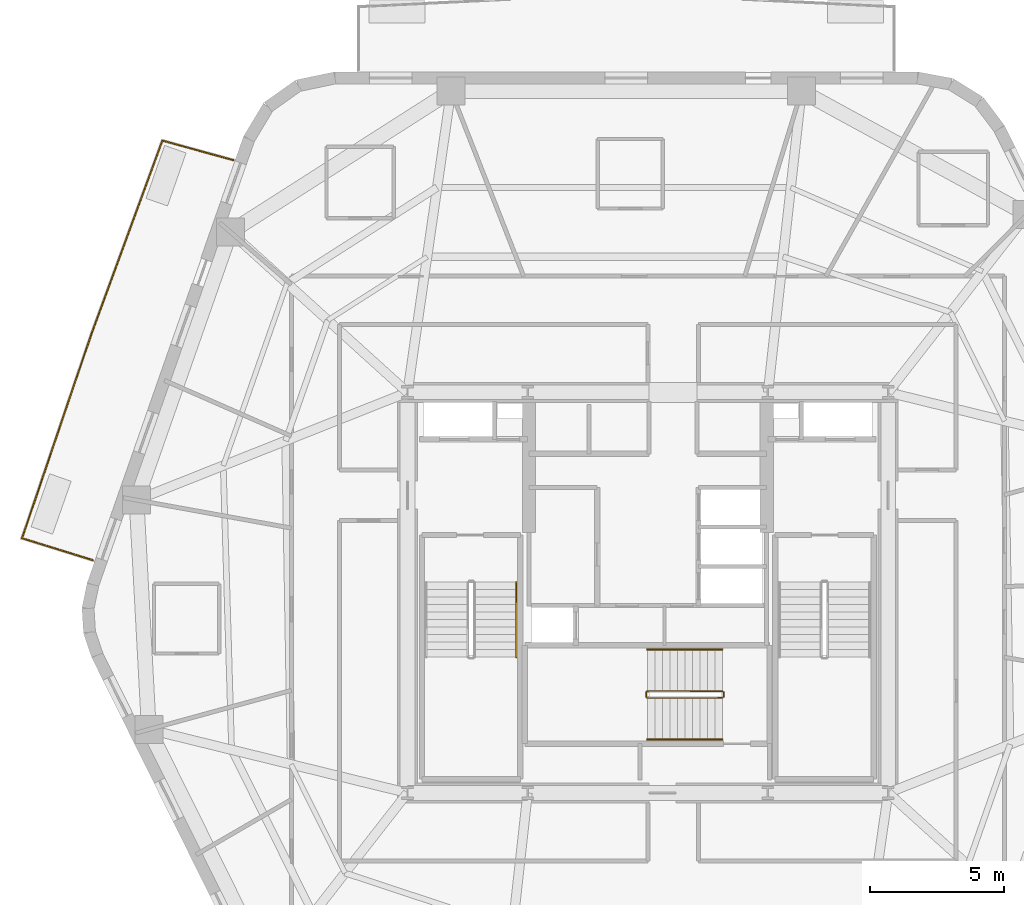
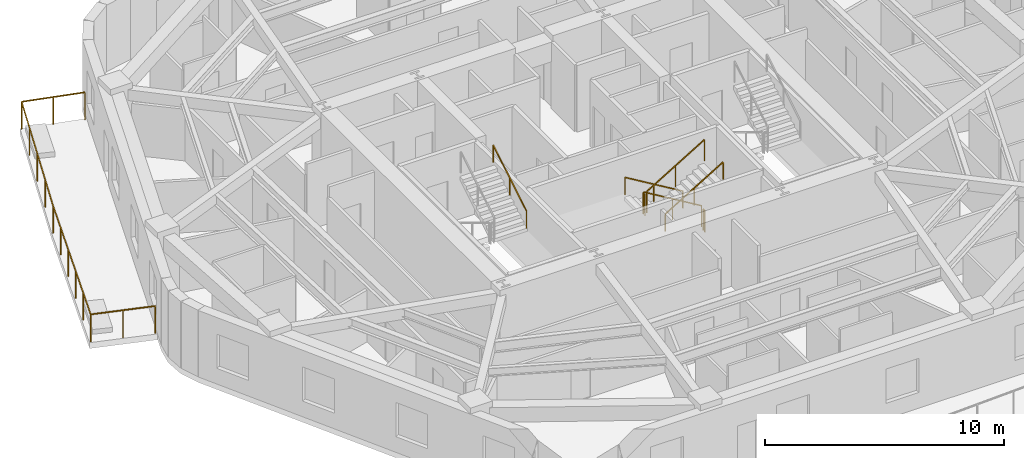
# One storey, part 9 of 11: 8 railings.
"""IFC4 building model written with IfcOpenShell, lengths in metres."""

import ifcopenshell
import ifcopenshell.guid

model = None  # the IFC model being written
_history = None  # IfcOwnerHistory: only IFC2X3 demands one
_inside = {}  # id of a spatial element -> (the spatial element, [elements in it])
_under = {}  # id of a project, library or spatial element -> (it, [spatial elements below it])
_declared = {}  # id of a project -> (the project, [libraries it declares])
_typed = {}  # id of a type object -> (the type object, [elements of that type])
_made_of = {}  # id of a material, layer set ... -> (it, [elements and type objects made of it])


def new_model(schema):
    """Start an empty IFC model of exactly this schema.

    Asked for "IFC4X3", IfcOpenShell would pick the latest addendum, in which some entities
    have other attributes; the version numbers below select the first issue.
    IFC2X3 requires an IfcOwnerHistory on every rooted entity: one is made here for all.
    """
    global model, _history
    if schema == "IFC4X3":
        model = ifcopenshell.file(schema_version=(4, 3, 0, 0))
    else:
        model = ifcopenshell.file(schema=schema)
    _inside.clear()
    _under.clear()
    _declared.clear()
    _typed.clear()
    _made_of.clear()
    _history = None
    if model.schema == "IFC2X3":
        org = make("IfcOrganization", Name="unknown")
        user = make(
            "IfcPersonAndOrganization",
            ThePerson=make("IfcPerson", FamilyName="unknown"),
            TheOrganization=org,
        )
        app = make(
            "IfcApplication",
            ApplicationDeveloper=org,
            Version="unknown",
            ApplicationFullName="unknown",
            ApplicationIdentifier="unknown",
        )
        _history = make(
            "IfcOwnerHistory",
            OwningUser=user,
            OwningApplication=app,
            ChangeAction="ADDED",
            CreationDate=0,
        )
    return model


def make(cls, **values):
    """One entity of the class cls with the attributes given. An attribute that is None is left unset."""
    return model.create_entity(
        cls, **{name: value for name, value in values.items() if value is not None}
    )


def rooted(cls, **values):
    """An entity with a GlobalId (a new one), such as an element, a storey or a relation."""
    return make(cls, GlobalId=ifcopenshell.guid.new(), OwnerHistory=_history, **values)


def si_unit(unit_type, name, prefix=None):
    """IfcSIUnit, for example si_unit("LENGTHUNIT", "METRE", prefix="MILLI")."""
    return make("IfcSIUnit", UnitType=unit_type, Prefix=prefix, Name=name)


def assignment(units):
    """IfcUnitAssignment: the units of a project."""
    return None if units is None else make("IfcUnitAssignment", Units=units)


def point(xyz):
    """IfcCartesianPoint."""
    return None if xyz is None else make("IfcCartesianPoint", Coordinates=xyz)


def direction(xyz):
    """IfcDirection."""
    return None if xyz is None else make("IfcDirection", DirectionRatios=xyz)


def frame(location, z_axis=None, x_axis=None):
    """IfcAxis2Placement3D, a coordinate frame: its origin and axes. An axis left out is left unset."""
    return make(
        "IfcAxis2Placement3D",
        Location=point(location),
        Axis=direction(z_axis),
        RefDirection=direction(x_axis),
    )


def frame_2d(location, x_axis=None):
    """IfcAxis2Placement2D, a coordinate frame in the plane: its origin and x axis."""
    return make(
        "IfcAxis2Placement2D", Location=point(location), RefDirection=direction(x_axis)
    )


def origin():
    """The frame at (0, 0, 0) with its axes left unset."""
    return frame((0.0, 0.0, 0.0))


def origin_2d():
    """The frame at (0, 0) in the plane with its x axis left unset."""
    return frame_2d((0.0, 0.0))


def place(relative_to, where):
    """IfcLocalPlacement: puts the frame where relative to a parent placement (None: the world)."""
    return make(
        "IfcLocalPlacement", PlacementRelTo=relative_to, RelativePlacement=where
    )


def context(
    kind, dimensions, precision=None, world=None, true_north=None, identifier=None
):
    """IfcGeometricRepresentationContext, for example the 3D "Model" context."""
    return make(
        "IfcGeometricRepresentationContext",
        ContextIdentifier=identifier,
        ContextType=kind,
        CoordinateSpaceDimension=dimensions,
        Precision=precision,
        WorldCoordinateSystem=world,
        TrueNorth=true_north,
    )


def subcontext(parent, identifier, kind, view, scale=None):
    """IfcGeometricRepresentationSubContext, for example "Body" below "Model"."""
    return make(
        "IfcGeometricRepresentationSubContext",
        ContextIdentifier=identifier,
        ContextType=kind,
        ParentContext=parent,
        TargetScale=scale,
        TargetView=view,
    )


def project(units=None, contexts=None):
    """IfcProject with its units and contexts."""
    return rooted(
        "IfcProject",
        Name="project",
        RepresentationContexts=contexts,
        UnitsInContext=assignment(units),
    )


def spatial(cls, under=None, at=None, **own):
    """A site, building, storey or space (cls), placed at a placement, below another one or the project."""
    s = rooted(cls, ObjectPlacement=at, **own)
    if under is not None:
        _under.setdefault(under.id(), (under, []))[1].append(s)
    return s


def profile(cls, at=None, kind="AREA", **sizes):
    """A parametric profile (cls). Its sizes go by their IFC names, for example OverallWidth=200.0."""
    return make(cls, ProfileType=kind, Position=at, **sizes)


def rectangle(**sizes):
    """IfcRectangleProfileDef."""
    return profile("IfcRectangleProfileDef", **sizes)


def extrude(swept, where, along, depth):
    """IfcExtrudedAreaSolid: the profile swept, set in the frame where, extruded along a direction by depth."""
    return make(
        "IfcExtrudedAreaSolid",
        SweptArea=swept,
        Position=where,
        ExtrudedDirection=direction(along),
        Depth=depth,
    )


def shape(context_of_items, identifier, shape_type, items):
    """IfcShapeRepresentation: the items that make up one representation, for example the "Body"."""
    return make(
        "IfcShapeRepresentation",
        ContextOfItems=context_of_items,
        RepresentationIdentifier=identifier,
        RepresentationType=shape_type,
        Items=items,
    )


def material(Name=None, Category=None):
    """IfcMaterial."""
    return make("IfcMaterial", Name=Name, Category=Category)


def layer(
    of_material, thickness, ventilated=None, Name=None, Category=None, Priority=None
):
    """IfcMaterialLayer: one layer of a wall or slab, of a material (None: an air gap)."""
    return make(
        "IfcMaterialLayer",
        Material=of_material,
        LayerThickness=thickness,
        IsVentilated=ventilated,
        Name=Name,
        Category=Category,
        Priority=Priority,
    )


def layer_set(layers, Name=None):
    """IfcMaterialLayerSet."""
    return make("IfcMaterialLayerSet", MaterialLayers=layers, LayerSetName=Name)


def made_of(thing, what):
    """Note that an element or type object is made of a material, layer set ...; save() writes the relation."""
    if what is not None:
        _made_of.setdefault(what.id(), (what, []))[1].append(thing)
    return thing


def type_object(cls, material=None, **own):
    """A type object (cls), such as IfcWallType, which elements share."""
    return made_of(rooted(cls, **own), material)


def element(
    cls,
    number,
    at=None,
    inside=None,
    cuts=None,
    type_object=None,
    material=None,
    context=None,
    identifier="Body",
    shape_type=None,
    held_by="IfcProductDefinitionShape",
    body=None,
    shapes=None,
    **own,
):
    """One element of the class cls, such as IfcWall. Its Tag is "e" and its number.

    at: its placement. inside: the storey or other place that contains it. cuts: it is an
    opening in that element (IfcRelVoidsElement). A single representation is given by context,
    identifier, shape_type and body (its items); several are given by shapes. held_by: the class
    of the entity that holds the representations. save() writes the other relations.
    """
    e = rooted(cls, Tag="e%d" % number, ObjectPlacement=at, **own)
    if body is not None:
        shapes = [shape(context, identifier, shape_type, body)]
    if shapes is not None:
        e.Representation = make(held_by, Representations=shapes)
    if inside is not None:
        _inside.setdefault(inside.id(), (inside, []))[1].append(e)
    if cuts is not None:
        rooted(
            "IfcRelVoidsElement", RelatingBuildingElement=cuts, RelatedOpeningElement=e
        )
    if type_object is not None:
        _typed.setdefault(type_object.id(), (type_object, []))[1].append(e)
    return made_of(e, material)


def aggregate(whole, parts):
    """IfcRelAggregates: a whole, such as a stair, and the parts it consists of."""
    return rooted("IfcRelAggregates", RelatingObject=whole, RelatedObjects=parts)


def save(model, path):
    """Write the relations noted so far, then the file.

    IfcRelAggregates (storeys below a building ...), IfcRelContainedInSpatialStructure (elements
    in a storey), IfcRelDefinesByType, IfcRelAssociatesMaterial and IfcRelDeclares: one each for
    every whole, place, type object, material and project.
    """
    for whole, parts in _under.values():
        aggregate(whole, parts)
    for where, things in _inside.values():
        rooted(
            "IfcRelContainedInSpatialStructure",
            RelatedElements=things,
            RelatingStructure=where,
        )
    for kind, things in _typed.values():
        rooted("IfcRelDefinesByType", RelatedObjects=things, RelatingType=kind)
    for what, things in _made_of.values():
        rooted("IfcRelAssociatesMaterial", RelatedObjects=things, RelatingMaterial=what)
    for by, libraries in _declared.values():
        rooted("IfcRelDeclares", RelatingContext=by, RelatedDefinitions=libraries)
    model.write(path)


model = new_model("IFC4")

# Units and contexts
model_context = context("Model", 3, precision=1e-05, world=origin(), true_north=direction((0.0, 1.0)))
body_context = subcontext(model_context, "Body", "Model", "MODEL_VIEW")
ifc_project = project(units=[si_unit("LENGTHUNIT", "METRE"), si_unit("AREAUNIT", "SQUARE_METRE"), si_unit("VOLUMEUNIT", "CUBIC_METRE"), si_unit("PLANEANGLEUNIT", "RADIAN"), si_unit("MASSUNIT", "GRAM", prefix="KILO")], contexts=[model_context])

# Site, building, storey
site_placement = place(None, origin())
site = spatial("IfcSite", under=ifc_project, at=site_placement, CompositionType="ELEMENT")
building_placement = place(site_placement, origin())
building = spatial("IfcBuilding", under=site, at=building_placement, Name="Kilnhurst Terrace Hotel", CompositionType="ELEMENT")
storey_placement = place(building_placement, frame((0.0, 0.0, 194.10009765625)))
storey = spatial("IfcBuildingStorey", under=building, at=storey_placement, Name="L48", CompositionType="ELEMENT", Elevation=194.10009765625)

# Railings
ifc_material_1 = material(Name="Laminated SentryGlas and Stainless Steel AISI 316L Balustrade", Category="steel")
ifc_layer_1 = layer(ifc_material_1, 0.070068359375, Name="Laminated SentryGlas and Stainless Steel AISI 316L Balustrade")
ifc_layer_set_1 = layer_set([ifc_layer_1], Name="Laminated SentryGlas and Stainless Steel AISI 316L Balustrade")
railing_type_1 = type_object("IfcRailingType", Name="RLG-BAL-1420", PredefinedType="BALUSTRADE", material=ifc_layer_set_1)
railing_1_placement = place(storey_placement, frame((-20.783935546875, 1.215087890625, 0.0)))
element("IfcRailing", 1, at=railing_1_placement, inside=storey, type_object=railing_type_1, Name="L48 Exterior Terrace Guardrail BAL-L2B.1", PredefinedType="BALUSTRADE", context=body_context, shape_type="SweptSolid", body=[
    extrude(rectangle(XDim=0.048095703125, YDim=0.048095703125, at=origin_2d()), frame((0.0, 0.0, 1.39599609375), z_axis=(-0.954948187333, 0.29677257203, 0.0), x_axis=(-0.29677257203, -0.954948187333, 0.0)), (0.0, 0.0, 1.0), 2.7763671875),
    extrude(rectangle(XDim=0.048095703125, YDim=0.048095703125, at=origin_2d()), frame((-2.6513671875, 0.823974609375, 1.39599609375), z_axis=(0.321641701575, 0.946861455445, 0.0), x_axis=(-0.946861455445, 0.321641701575, 0.0)), (0.0, 0.0, 1.0), 8.082275390625),
    extrude(rectangle(XDim=0.048095703125, YDim=0.048095703125, at=origin_2d()), frame((-0.0517578125, 8.476806640625, 1.39599609375), z_axis=(0.344704120874, 0.938711387516, 0.0), x_axis=(-0.938711387516, 0.344704120874, 0.0)), (0.0, 0.0, 1.0), 7.7080078125),
    extrude(rectangle(XDim=0.048095703125, YDim=0.048095703125, at=origin_2d()), frame((2.605224609375, 15.71240234375, 1.39599609375), z_axis=(0.964239560757, -0.265032204593, 0.0), x_axis=(0.265032204593, 0.964239560757, 0.0)), (0.0, 0.0, 1.0), 2.739501953125),
    extrude(rectangle(XDim=0.0419921875, YDim=0.0419921875, at=origin_2d()), origin(), (0.0, 0.0, 1.0), 1.371826171875),
    extrude(rectangle(XDim=0.0419921875, YDim=0.0419921875, at=origin_2d()), frame((-1.32568359375, 0.412109375, 0.0)), (0.0, 0.0, 1.0), 1.371826171875),
    extrude(rectangle(XDim=0.0419921875, YDim=0.0419921875, at=origin_2d()), frame((-2.6513671875, 0.823974609375, 0.0)), (0.0, 0.0, 1.0), 1.371826171875),
    extrude(rectangle(XDim=0.0419921875, YDim=0.0419921875, at=origin_2d()), frame((-2.13134765625, 2.3544921875, 0.0)), (0.0, 0.0, 1.0), 1.371826171875),
    extrude(rectangle(XDim=0.0419921875, YDim=0.0419921875, at=origin_2d()), frame((-1.611572265625, 3.885009765625, 0.0)), (0.0, 0.0, 1.0), 1.371826171875),
    extrude(rectangle(XDim=0.0419921875, YDim=0.0419921875, at=origin_2d()), frame((-1.091552734375, 5.415771484375, 0.0)), (0.0, 0.0, 1.0), 1.371826171875),
    extrude(rectangle(XDim=0.0419921875, YDim=0.0419921875, at=origin_2d()), frame((-0.57177734375, 6.9462890625, 0.0)), (0.0, 0.0, 1.0), 1.371826171875),
    extrude(rectangle(XDim=0.0419921875, YDim=0.0419921875, at=origin_2d()), frame((-0.0517578125, 8.476806640625, 0.0)), (0.0, 0.0, 1.0), 1.371826171875),
    extrude(rectangle(XDim=0.0419921875, YDim=0.0419921875, at=origin_2d()), frame((0.612548828125, 10.28564453125, 0.0)), (0.0, 0.0, 1.0), 1.371826171875),
    extrude(rectangle(XDim=0.0419921875, YDim=0.0419921875, at=origin_2d()), frame((1.27685546875, 12.0947265625, 0.0)), (0.0, 0.0, 1.0), 1.371826171875),
    extrude(rectangle(XDim=0.0419921875, YDim=0.0419921875, at=origin_2d()), frame((1.94091796875, 13.903564453125, 0.0)), (0.0, 0.0, 1.0), 1.371826171875),
    extrude(rectangle(XDim=0.0419921875, YDim=0.0419921875, at=origin_2d()), frame((2.605224609375, 15.71240234375, 0.0)), (0.0, 0.0, 1.0), 1.371826171875),
    extrude(rectangle(XDim=0.0419921875, YDim=0.0419921875, at=origin_2d()), frame((3.926025390625, 15.349365234375, 0.0)), (0.0, 0.0, 1.0), 1.371826171875),
    extrude(rectangle(XDim=0.0419921875, YDim=0.0419921875, at=origin_2d()), frame((5.246826171875, 14.986328125, 0.0)), (0.0, 0.0, 1.0), 1.371826171875),
])
ifc_material_2 = material(Name="Powder-Coated Steel ASTM A500 Grade B", Category="steel")
ifc_layer_2 = layer(ifc_material_2, 0.050048828125, Name="Powder-Coated Steel ASTM A500 Grade B")
ifc_layer_set_2 = layer_set([ifc_layer_2], Name="Powder-Coated Steel ASTM A500 Grade B")
railing_type_2 = type_object("IfcRailingType", Name="RLG-ST-GRD-1100", PredefinedType="GUARDRAIL", material=ifc_layer_set_2)
railing_2_placement = place(storey_placement, frame((2.7900390625, -3.68994140625, 0.16796875)))
element("IfcRailing", 2, at=railing_2_placement, inside=storey, type_object=railing_type_2, Name="L48 ST-3 stair guard 1", PredefinedType="GUARDRAIL", context=body_context, shape_type="SweptSolid", body=[
    extrude(rectangle(XDim=0.048095703125, YDim=0.048095703125, at=origin_2d()), frame((0.0, 0.0, 1.076171875), z_axis=(-0.857242210791, 0.0, 0.514913383045), x_axis=(0.0, -1.0, 0.0)), (0.0, 0.0, 1.0), 3.266357421875),
    extrude(rectangle(XDim=0.0419921875, YDim=0.0419921875, at=origin_2d()), origin(), (0.0, 0.0, 1.0), 1.052001953125),
    extrude(rectangle(XDim=0.0419921875, YDim=0.0419921875, at=origin_2d()), frame((-1.39990234375, 0.0, 0.8408203125)), (0.0, 0.0, 1.0), 1.052001953125),
    extrude(rectangle(XDim=0.0419921875, YDim=0.0419921875, at=origin_2d()), frame((-2.800048828125, 0.0, 1.681884765625)), (0.0, 0.0, 1.0), 1.052001953125),
])
railing_3_placement = place(storey_placement, frame((-0.06005859375, -3.739990234375, 1.849853515625)))
element("IfcRailing", 3, at=railing_3_placement, inside=storey, type_object=railing_type_2, Name="L48 ST-3 stair guard 2", PredefinedType="GUARDRAIL", context=body_context, shape_type="SweptSolid", body=[
    extrude(rectangle(XDim=0.048095703125, YDim=0.048095703125, at=origin_2d()), frame((0.0, 0.0, 1.076171875), z_axis=(0.0, -1.0, 0.0), x_axis=(1.0, 0.0, 0.0)), (0.0, 0.0, 1.0), 0.14990234375),
    extrude(rectangle(XDim=0.0419921875, YDim=0.0419921875, at=origin_2d()), origin(), (0.0, 0.0, 1.0), 1.052001953125),
    extrude(rectangle(XDim=0.0419921875, YDim=0.0419921875, at=origin_2d()), frame((0.0, -0.14990234375, 0.0)), (0.0, 0.0, 1.0), 1.052001953125),
])
railing_4_placement = place(storey_placement, frame((-0.010009765625, -3.93994140625, 2.01806640625)))
element("IfcRailing", 4, at=railing_4_placement, inside=storey, type_object=railing_type_2, Name="L48 ST-3 stair guard 3", PredefinedType="GUARDRAIL", context=body_context, shape_type="SweptSolid", body=[
    extrude(rectangle(XDim=0.048095703125, YDim=0.048095703125, at=origin_2d()), frame((0.0, 0.0, 1.076171875), z_axis=(0.857242210791, 0.0, 0.514913383045), x_axis=(0.0, 1.0, 0.0)), (0.0, 0.0, 1.0), 3.266357421875),
    extrude(rectangle(XDim=0.0419921875, YDim=0.0419921875, at=origin_2d()), origin(), (0.0, 0.0, 1.0), 1.052001953125),
    extrude(rectangle(XDim=0.0419921875, YDim=0.0419921875, at=origin_2d()), frame((1.39990234375, 0.0, 0.8408203125)), (0.0, 0.0, 1.0), 1.052001953125),
    extrude(rectangle(XDim=0.0419921875, YDim=0.0419921875, at=origin_2d()), frame((2.800048828125, 0.0, 1.681884765625)), (0.0, 0.0, 1.0), 1.052001953125),
])
railing_5_placement = place(storey_placement, frame((2.840087890625, -3.739990234375, 0.0)))
element("IfcRailing", 5, at=railing_5_placement, inside=storey, type_object=railing_type_2, Name="L48 ST-3 stair guard 4", PredefinedType="GUARDRAIL", context=body_context, shape_type="SweptSolid", body=[
    extrude(rectangle(XDim=0.048095703125, YDim=0.048095703125, at=origin_2d()), frame((0.0, 0.0, 1.076171875), z_axis=(0.0, -1.0, 0.0), x_axis=(1.0, 0.0, 0.0)), (0.0, 0.0, 1.0), 0.14990234375),
    extrude(rectangle(XDim=0.0419921875, YDim=0.0419921875, at=origin_2d()), origin(), (0.0, 0.0, 1.0), 1.052001953125),
    extrude(rectangle(XDim=0.0419921875, YDim=0.0419921875, at=origin_2d()), frame((0.0, -0.14990234375, 0.0)), (0.0, 0.0, 1.0), 1.052001953125),
])
ifc_material_3 = material(Name="Brushed Stainless Steel AISI 304", Category="steel")
ifc_layer_3 = layer(ifc_material_3, 0.048095703125, Name="Brushed Stainless Steel AISI 304")
ifc_layer_set_3 = layer_set([ifc_layer_3], Name="Brushed Stainless Steel AISI 304")
railing_type_3 = type_object("IfcRailingType", Name="RLG-ST-HRL-900", PredefinedType="HANDRAIL", material=ifc_layer_set_3)
railing_6_placement = place(storey_placement, frame((-4.929931640625, -2.409912109375, 2.01806640625)))
element("IfcRailing", 6, at=railing_6_placement, inside=storey, type_object=railing_type_3, Name="L48 ST-1 stair handrail 2", PredefinedType="HANDRAIL", context=body_context, shape_type="SweptSolid", body=[
    extrude(rectangle(XDim=0.048095703125, YDim=0.048095703125, at=origin_2d()), frame((0.0, 0.0, 0.8759765625), z_axis=(0.0, 0.857222391501, 0.514946377315), x_axis=(-1.0, 0.0, 0.0)), (0.0, 0.0, 1.0), 3.26611328125),
    extrude(rectangle(XDim=0.0419921875, YDim=0.0419921875, at=origin_2d()), origin(), (0.0, 0.0, 1.0), 0.851806640625),
    extrude(rectangle(XDim=0.0419921875, YDim=0.0419921875, at=origin_2d()), frame((0.0, 1.39990234375, 0.8408203125)), (0.0, 0.0, 1.0), 0.851806640625),
    extrude(rectangle(XDim=0.0419921875, YDim=0.0419921875, at=origin_2d()), frame((0.0, 2.7998046875, 1.681884765625)), (0.0, 0.0, 1.0), 0.851806640625),
])
railing_7_placement = place(storey_placement, frame((2.7900390625, -2.1298828125, 0.16796875)))
element("IfcRailing", 7, at=railing_7_placement, inside=storey, type_object=railing_type_3, Name="L48 ST-3 stair handrail 1", PredefinedType="HANDRAIL", context=body_context, shape_type="SweptSolid", body=[
    extrude(rectangle(XDim=0.048095703125, YDim=0.048095703125, at=origin_2d()), frame((0.0, 0.0, 0.8759765625), z_axis=(-0.857242210791, 0.0, 0.514913383045), x_axis=(0.0, -1.0, 0.0)), (0.0, 0.0, 1.0), 3.266357421875),
    extrude(rectangle(XDim=0.0419921875, YDim=0.0419921875, at=origin_2d()), origin(), (0.0, 0.0, 1.0), 0.851806640625),
    extrude(rectangle(XDim=0.0419921875, YDim=0.0419921875, at=origin_2d()), frame((-1.39990234375, 0.0, 0.8408203125)), (0.0, 0.0, 1.0), 0.851806640625),
    extrude(rectangle(XDim=0.0419921875, YDim=0.0419921875, at=origin_2d()), frame((-2.800048828125, 0.0, 1.681884765625)), (0.0, 0.0, 1.0), 0.851806640625),
])
railing_8_placement = place(storey_placement, frame((-0.010009765625, -5.5, 2.01806640625)))
element("IfcRailing", 8, at=railing_8_placement, inside=storey, type_object=railing_type_3, Name="L48 ST-3 stair handrail 2", PredefinedType="HANDRAIL", context=body_context, shape_type="SweptSolid", body=[
    extrude(rectangle(XDim=0.048095703125, YDim=0.048095703125, at=origin_2d()), frame((0.0, 0.0, 0.8759765625), z_axis=(0.857242210791, 0.0, 0.514913383045), x_axis=(0.0, 1.0, 0.0)), (0.0, 0.0, 1.0), 3.266357421875),
    extrude(rectangle(XDim=0.0419921875, YDim=0.0419921875, at=origin_2d()), origin(), (0.0, 0.0, 1.0), 0.851806640625),
    extrude(rectangle(XDim=0.0419921875, YDim=0.0419921875, at=origin_2d()), frame((1.39990234375, 0.0, 0.8408203125)), (0.0, 0.0, 1.0), 0.851806640625),
    extrude(rectangle(XDim=0.0419921875, YDim=0.0419921875, at=origin_2d()), frame((2.800048828125, 0.0, 1.681884765625)), (0.0, 0.0, 1.0), 0.851806640625),
])

save(model, "model.ifc")
